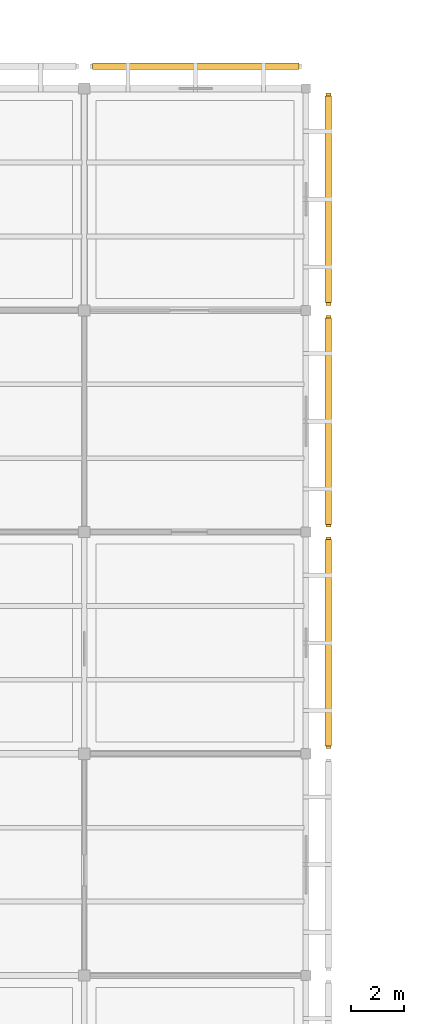
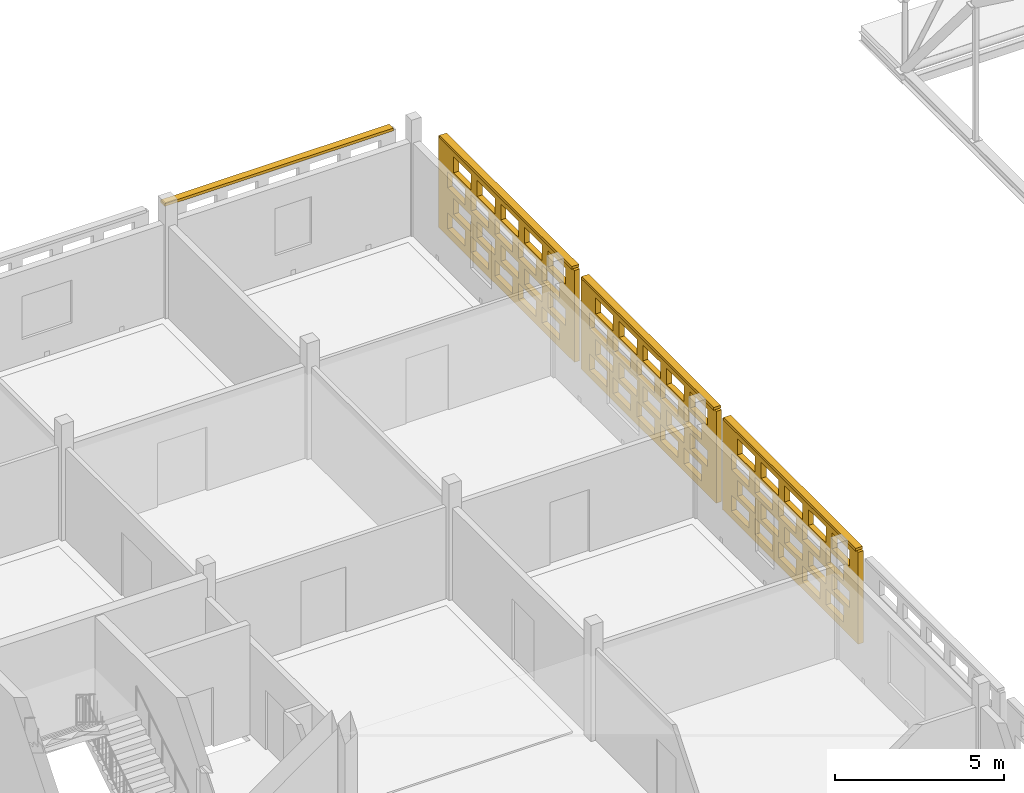
# One storey, part 95 of 103: 4 shading devices, 3 coverings, 60 openings.
"""IFC4 building model written with IfcOpenShell, lengths in metres."""

from ifc_helpers import new_model, si_unit, direction, frame, frame_2d, origin, origin_2d, place, context, subcontext, project, spatial, rectangle, extrude, material, layer, layer_set, type_object, element, save


model = new_model("IFC4")

# Units and contexts
model_context = context("Model", 3, precision=1e-05, world=origin(), true_north=direction((0.0, 1.0)))
body_context = subcontext(model_context, "Body", "Model", "MODEL_VIEW")
ifc_project = project(units=[si_unit("LENGTHUNIT", "METRE"), si_unit("AREAUNIT", "SQUARE_METRE"), si_unit("VOLUMEUNIT", "CUBIC_METRE"), si_unit("PLANEANGLEUNIT", "RADIAN"), si_unit("MASSUNIT", "GRAM", prefix="KILO")], contexts=[model_context])

# Site, building, storey
site_placement = place(None, origin())
site = spatial("IfcSite", under=ifc_project, at=site_placement, CompositionType="ELEMENT")
building_placement = place(site_placement, origin())
building = spatial("IfcBuilding", under=site, at=building_placement, Name="Varnapada Polytechnic", CompositionType="ELEMENT")
storey_placement = place(building_placement, frame((0.0, 0.0, 18.0)))
storey = spatial("IfcBuildingStorey", under=building, at=storey_placement, Name="L04", CompositionType="ELEMENT", Elevation=18.0)

# Covering, openings
ifc_material = material(Name="Earth-toned architectural terracotta screen block", Category="masonry")
ifc_layer_1 = layer(ifc_material, 0.1201171875)
ifc_layer_set_1 = layer_set([ifc_layer_1], Name="Earth-toned architectural terracotta screen block")
covering_type = type_object("IfcCoveringType", Name="Terracotta Screen Cladding CLD-01", PredefinedType="CLADDING", material=ifc_layer_set_1)
covering_1_placement = place(storey_placement, frame((34.449951171875, 109.010009765625, 0.0), z_axis=(0.0, 0.0, 1.0), x_axis=(0.0, -1.0, 0.0)))
covering_1 = element("IfcCovering", 1, at=covering_1_placement, inside=storey, type_object=covering_type, Name="L04 perforated terracotta block screen (30)", PredefinedType="CLADDING", context=body_context, shape_type="SweptSolid", body=[
    extrude(rectangle(XDim=8.02001953125, YDim=0.179931640625, at=frame_2d((4.010009765625, 0.0))), origin(), (0.0, 0.0, 1.0), 3.320068359375),
])
opening_1_placement = place(covering_1_placement, frame((0.510009765625, 0.0, 0.265625)))
element("IfcOpeningElement", 2, at=opening_1_placement, cuts=covering_1, Name="Screen perforation TBS-L04-029.1", PredefinedType="OPENING", context=body_context, shape_type="SweptSolid", body=[
    extrude(rectangle(XDim=1.0400390625, YDim=0.5810546875, at=frame_2d((0.52001953125, 0.29052734375))), frame((0.0, 0.099853515625, 0.0), z_axis=(0.0, -1.0, 0.0), x_axis=(1.0, 0.0, 0.0)), (0.0, 0.0, 1.0), 0.199951171875),
])
opening_2_placement = place(covering_1_placement, frame((1.909912109375, 0.0, 0.265625)))
element("IfcOpeningElement", 3, at=opening_2_placement, cuts=covering_1, Name="Screen perforation TBS-L04-029.2", PredefinedType="OPENING", context=body_context, shape_type="SweptSolid", body=[
    extrude(rectangle(XDim=1.0400390625, YDim=0.5810546875, at=frame_2d((0.52001953125, 0.29052734375))), frame((0.0, 0.099853515625, 0.0), z_axis=(0.0, -1.0, 0.0), x_axis=(1.0, 0.0, 0.0)), (0.0, 0.0, 1.0), 0.199951171875),
])
opening_3_placement = place(covering_1_placement, frame((3.31005859375, 0.0, 0.265625)))
element("IfcOpeningElement", 4, at=opening_3_placement, cuts=covering_1, Name="Screen perforation TBS-L04-029.3", PredefinedType="OPENING", context=body_context, shape_type="SweptSolid", body=[
    extrude(rectangle(XDim=1.0400390625, YDim=0.5810546875, at=frame_2d((0.52001953125, 0.29052734375))), frame((0.0, 0.099853515625, 0.0), z_axis=(0.0, -1.0, 0.0), x_axis=(1.0, 0.0, 0.0)), (0.0, 0.0, 1.0), 0.199951171875),
])
opening_4_placement = place(covering_1_placement, frame((4.7099609375, 0.0, 0.265625)))
element("IfcOpeningElement", 5, at=opening_4_placement, cuts=covering_1, Name="Screen perforation TBS-L04-029.4", PredefinedType="OPENING", context=body_context, shape_type="SweptSolid", body=[
    extrude(rectangle(XDim=1.0400390625, YDim=0.5810546875, at=frame_2d((0.52001953125, 0.29052734375))), frame((0.0, 0.099853515625, 0.0), z_axis=(0.0, -1.0, 0.0), x_axis=(1.0, 0.0, 0.0)), (0.0, 0.0, 1.0), 0.199951171875),
])
opening_5_placement = place(covering_1_placement, frame((6.110107421875, 0.0, 0.265625)))
element("IfcOpeningElement", 6, at=opening_5_placement, cuts=covering_1, Name="Screen perforation TBS-L04-029.5", PredefinedType="OPENING", context=body_context, shape_type="SweptSolid", body=[
    extrude(rectangle(XDim=1.0400390625, YDim=0.5810546875, at=frame_2d((0.52001953125, 0.29052734375))), frame((0.0, 0.099853515625, 0.0), z_axis=(0.0, -1.0, 0.0), x_axis=(1.0, 0.0, 0.0)), (0.0, 0.0, 1.0), 0.199951171875),
])
opening_6_placement = place(covering_1_placement, frame((0.8701171875, 0.0, 1.0126953125)))
element("IfcOpeningElement", 7, at=opening_6_placement, cuts=covering_1, Name="Screen perforation TBS-L04-029.6", PredefinedType="OPENING", context=body_context, shape_type="SweptSolid", body=[
    extrude(rectangle(XDim=1.0400390625, YDim=0.5810546875, at=frame_2d((0.52001953125, 0.29052734375))), frame((0.0, 0.099853515625, 0.0), z_axis=(0.0, -1.0, 0.0), x_axis=(1.0, 0.0, 0.0)), (0.0, 0.0, 1.0), 0.199951171875),
])
opening_7_placement = place(covering_1_placement, frame((2.27001953125, 0.0, 1.0126953125)))
element("IfcOpeningElement", 8, at=opening_7_placement, cuts=covering_1, Name="Screen perforation TBS-L04-029.7", PredefinedType="OPENING", context=body_context, shape_type="SweptSolid", body=[
    extrude(rectangle(XDim=1.0400390625, YDim=0.5810546875, at=frame_2d((0.52001953125, 0.29052734375))), frame((0.0, 0.099853515625, 0.0), z_axis=(0.0, -1.0, 0.0), x_axis=(1.0, 0.0, 0.0)), (0.0, 0.0, 1.0), 0.199951171875),
])
opening_8_placement = place(covering_1_placement, frame((3.669921875, 0.0, 1.0126953125)))
element("IfcOpeningElement", 9, at=opening_8_placement, cuts=covering_1, Name="Screen perforation TBS-L04-029.8", PredefinedType="OPENING", context=body_context, shape_type="SweptSolid", body=[
    extrude(rectangle(XDim=1.0400390625, YDim=0.5810546875, at=frame_2d((0.52001953125, 0.29052734375))), frame((0.0, 0.099853515625, 0.0), z_axis=(0.0, -1.0, 0.0), x_axis=(1.0, 0.0, 0.0)), (0.0, 0.0, 1.0), 0.199951171875),
])
opening_9_placement = place(covering_1_placement, frame((5.070068359375, 0.0, 1.0126953125)))
element("IfcOpeningElement", 10, at=opening_9_placement, cuts=covering_1, Name="Screen perforation TBS-L04-029.9", PredefinedType="OPENING", context=body_context, shape_type="SweptSolid", body=[
    extrude(rectangle(XDim=1.0400390625, YDim=0.5810546875, at=frame_2d((0.52001953125, 0.29052734375))), frame((0.0, 0.099853515625, 0.0), z_axis=(0.0, -1.0, 0.0), x_axis=(1.0, 0.0, 0.0)), (0.0, 0.0, 1.0), 0.199951171875),
])
opening_10_placement = place(covering_1_placement, frame((6.469970703125, 0.0, 1.0126953125)))
element("IfcOpeningElement", 11, at=opening_10_placement, cuts=covering_1, Name="Screen perforation TBS-L04-029.10", PredefinedType="OPENING", context=body_context, shape_type="SweptSolid", body=[
    extrude(rectangle(XDim=1.0400390625, YDim=0.5810546875, at=frame_2d((0.52001953125, 0.29052734375))), frame((0.0, 0.099853515625, 0.0), z_axis=(0.0, -1.0, 0.0), x_axis=(1.0, 0.0, 0.0)), (0.0, 0.0, 1.0), 0.199951171875),
])
opening_11_placement = place(covering_1_placement, frame((0.510009765625, 0.0, 1.759521484375)))
element("IfcOpeningElement", 12, at=opening_11_placement, cuts=covering_1, Name="Screen perforation TBS-L04-029.11", PredefinedType="OPENING", context=body_context, shape_type="SweptSolid", body=[
    extrude(rectangle(XDim=1.0400390625, YDim=0.5810546875, at=frame_2d((0.52001953125, 0.29052734375))), frame((0.0, 0.099853515625, 0.0), z_axis=(0.0, -1.0, 0.0), x_axis=(1.0, 0.0, 0.0)), (0.0, 0.0, 1.0), 0.199951171875),
])
opening_12_placement = place(covering_1_placement, frame((1.909912109375, 0.0, 1.759521484375)))
element("IfcOpeningElement", 13, at=opening_12_placement, cuts=covering_1, Name="Screen perforation TBS-L04-029.12", PredefinedType="OPENING", context=body_context, shape_type="SweptSolid", body=[
    extrude(rectangle(XDim=1.0400390625, YDim=0.5810546875, at=frame_2d((0.52001953125, 0.29052734375))), frame((0.0, 0.099853515625, 0.0), z_axis=(0.0, -1.0, 0.0), x_axis=(1.0, 0.0, 0.0)), (0.0, 0.0, 1.0), 0.199951171875),
])
opening_13_placement = place(covering_1_placement, frame((3.31005859375, 0.0, 1.759521484375)))
element("IfcOpeningElement", 14, at=opening_13_placement, cuts=covering_1, Name="Screen perforation TBS-L04-029.13", PredefinedType="OPENING", context=body_context, shape_type="SweptSolid", body=[
    extrude(rectangle(XDim=1.0400390625, YDim=0.5810546875, at=frame_2d((0.52001953125, 0.29052734375))), frame((0.0, 0.099853515625, 0.0), z_axis=(0.0, -1.0, 0.0), x_axis=(1.0, 0.0, 0.0)), (0.0, 0.0, 1.0), 0.199951171875),
])
opening_14_placement = place(covering_1_placement, frame((4.7099609375, 0.0, 1.759521484375)))
element("IfcOpeningElement", 15, at=opening_14_placement, cuts=covering_1, Name="Screen perforation TBS-L04-029.14", PredefinedType="OPENING", context=body_context, shape_type="SweptSolid", body=[
    extrude(rectangle(XDim=1.0400390625, YDim=0.5810546875, at=frame_2d((0.52001953125, 0.29052734375))), frame((0.0, 0.099853515625, 0.0), z_axis=(0.0, -1.0, 0.0), x_axis=(1.0, 0.0, 0.0)), (0.0, 0.0, 1.0), 0.199951171875),
])
opening_15_placement = place(covering_1_placement, frame((6.110107421875, 0.0, 1.759521484375)))
element("IfcOpeningElement", 16, at=opening_15_placement, cuts=covering_1, Name="Screen perforation TBS-L04-029.15", PredefinedType="OPENING", context=body_context, shape_type="SweptSolid", body=[
    extrude(rectangle(XDim=1.0400390625, YDim=0.5810546875, at=frame_2d((0.52001953125, 0.29052734375))), frame((0.0, 0.099853515625, 0.0), z_axis=(0.0, -1.0, 0.0), x_axis=(1.0, 0.0, 0.0)), (0.0, 0.0, 1.0), 0.199951171875),
])
opening_16_placement = place(covering_1_placement, frame((0.8701171875, 0.0, 2.506591796875)))
element("IfcOpeningElement", 17, at=opening_16_placement, cuts=covering_1, Name="Screen perforation TBS-L04-029.16", PredefinedType="OPENING", context=body_context, shape_type="SweptSolid", body=[
    extrude(rectangle(XDim=1.0400390625, YDim=0.5810546875, at=frame_2d((0.52001953125, 0.29052734375))), frame((0.0, 0.099853515625, 0.0), z_axis=(0.0, -1.0, 0.0), x_axis=(1.0, 0.0, 0.0)), (0.0, 0.0, 1.0), 0.199951171875),
])
opening_17_placement = place(covering_1_placement, frame((2.27001953125, 0.0, 2.506591796875)))
element("IfcOpeningElement", 18, at=opening_17_placement, cuts=covering_1, Name="Screen perforation TBS-L04-029.17", PredefinedType="OPENING", context=body_context, shape_type="SweptSolid", body=[
    extrude(rectangle(XDim=1.0400390625, YDim=0.5810546875, at=frame_2d((0.52001953125, 0.29052734375))), frame((0.0, 0.099853515625, 0.0), z_axis=(0.0, -1.0, 0.0), x_axis=(1.0, 0.0, 0.0)), (0.0, 0.0, 1.0), 0.199951171875),
])
opening_18_placement = place(covering_1_placement, frame((3.669921875, 0.0, 2.506591796875)))
element("IfcOpeningElement", 19, at=opening_18_placement, cuts=covering_1, Name="Screen perforation TBS-L04-029.18", PredefinedType="OPENING", context=body_context, shape_type="SweptSolid", body=[
    extrude(rectangle(XDim=1.0400390625, YDim=0.5810546875, at=frame_2d((0.52001953125, 0.29052734375))), frame((0.0, 0.099853515625, 0.0), z_axis=(0.0, -1.0, 0.0), x_axis=(1.0, 0.0, 0.0)), (0.0, 0.0, 1.0), 0.199951171875),
])
opening_19_placement = place(covering_1_placement, frame((5.070068359375, 0.0, 2.506591796875)))
element("IfcOpeningElement", 20, at=opening_19_placement, cuts=covering_1, Name="Screen perforation TBS-L04-029.19", PredefinedType="OPENING", context=body_context, shape_type="SweptSolid", body=[
    extrude(rectangle(XDim=1.0400390625, YDim=0.5810546875, at=frame_2d((0.52001953125, 0.29052734375))), frame((0.0, 0.099853515625, 0.0), z_axis=(0.0, -1.0, 0.0), x_axis=(1.0, 0.0, 0.0)), (0.0, 0.0, 1.0), 0.199951171875),
])
opening_20_placement = place(covering_1_placement, frame((6.469970703125, 0.0, 2.506591796875)))
element("IfcOpeningElement", 21, at=opening_20_placement, cuts=covering_1, Name="Screen perforation TBS-L04-029.20", PredefinedType="OPENING", context=body_context, shape_type="SweptSolid", body=[
    extrude(rectangle(XDim=1.0400390625, YDim=0.5810546875, at=frame_2d((0.52001953125, 0.29052734375))), frame((0.0, 0.099853515625, 0.0), z_axis=(0.0, -1.0, 0.0), x_axis=(1.0, 0.0, 0.0)), (0.0, 0.0, 1.0), 0.199951171875),
])

covering_2_placement = place(storey_placement, frame((34.449951171875, 117.409912109375, 0.0), z_axis=(0.0, 0.0, 1.0), x_axis=(0.0, -1.0, 0.0)))
covering_2 = element("IfcCovering", 22, at=covering_2_placement, inside=storey, type_object=covering_type, Name="L04 perforated terracotta block screen (31)", PredefinedType="CLADDING", context=body_context, shape_type="SweptSolid", body=[
    extrude(rectangle(XDim=8.02001953125, YDim=0.179931640625, at=frame_2d((4.010009765625, 0.0))), origin(), (0.0, 0.0, 1.0), 3.320068359375),
])
opening_21_placement = place(covering_2_placement, frame((0.510009765625, 0.0, 0.265625)))
element("IfcOpeningElement", 23, at=opening_21_placement, cuts=covering_2, Name="Screen perforation TBS-L04-030.1", PredefinedType="OPENING", context=body_context, shape_type="SweptSolid", body=[
    extrude(rectangle(XDim=1.0400390625, YDim=0.5810546875, at=frame_2d((0.52001953125, 0.29052734375))), frame((0.0, 0.099853515625, 0.0), z_axis=(0.0, -1.0, 0.0), x_axis=(1.0, 0.0, 0.0)), (0.0, 0.0, 1.0), 0.199951171875),
])
opening_22_placement = place(covering_2_placement, frame((1.909912109375, 0.0, 0.265625)))
element("IfcOpeningElement", 24, at=opening_22_placement, cuts=covering_2, Name="Screen perforation TBS-L04-030.2", PredefinedType="OPENING", context=body_context, shape_type="SweptSolid", body=[
    extrude(rectangle(XDim=1.0400390625, YDim=0.5810546875, at=frame_2d((0.52001953125, 0.29052734375))), frame((0.0, 0.099853515625, 0.0), z_axis=(0.0, -1.0, 0.0), x_axis=(1.0, 0.0, 0.0)), (0.0, 0.0, 1.0), 0.199951171875),
])
opening_23_placement = place(covering_2_placement, frame((3.31005859375, 0.0, 0.265625)))
element("IfcOpeningElement", 25, at=opening_23_placement, cuts=covering_2, Name="Screen perforation TBS-L04-030.3", PredefinedType="OPENING", context=body_context, shape_type="SweptSolid", body=[
    extrude(rectangle(XDim=1.0400390625, YDim=0.5810546875, at=frame_2d((0.52001953125, 0.29052734375))), frame((0.0, 0.099853515625, 0.0), z_axis=(0.0, -1.0, 0.0), x_axis=(1.0, 0.0, 0.0)), (0.0, 0.0, 1.0), 0.199951171875),
])
opening_24_placement = place(covering_2_placement, frame((4.7099609375, 0.0, 0.265625)))
element("IfcOpeningElement", 26, at=opening_24_placement, cuts=covering_2, Name="Screen perforation TBS-L04-030.4", PredefinedType="OPENING", context=body_context, shape_type="SweptSolid", body=[
    extrude(rectangle(XDim=1.0400390625, YDim=0.5810546875, at=frame_2d((0.52001953125, 0.29052734375))), frame((0.0, 0.099853515625, 0.0), z_axis=(0.0, -1.0, 0.0), x_axis=(1.0, 0.0, 0.0)), (0.0, 0.0, 1.0), 0.199951171875),
])
opening_25_placement = place(covering_2_placement, frame((6.110107421875, 0.0, 0.265625)))
element("IfcOpeningElement", 27, at=opening_25_placement, cuts=covering_2, Name="Screen perforation TBS-L04-030.5", PredefinedType="OPENING", context=body_context, shape_type="SweptSolid", body=[
    extrude(rectangle(XDim=1.0400390625, YDim=0.5810546875, at=frame_2d((0.52001953125, 0.29052734375))), frame((0.0, 0.099853515625, 0.0), z_axis=(0.0, -1.0, 0.0), x_axis=(1.0, 0.0, 0.0)), (0.0, 0.0, 1.0), 0.199951171875),
])
opening_26_placement = place(covering_2_placement, frame((0.8701171875, 0.0, 1.0126953125)))
element("IfcOpeningElement", 28, at=opening_26_placement, cuts=covering_2, Name="Screen perforation TBS-L04-030.6", PredefinedType="OPENING", context=body_context, shape_type="SweptSolid", body=[
    extrude(rectangle(XDim=1.0400390625, YDim=0.5810546875, at=frame_2d((0.52001953125, 0.29052734375))), frame((0.0, 0.099853515625, 0.0), z_axis=(0.0, -1.0, 0.0), x_axis=(1.0, 0.0, 0.0)), (0.0, 0.0, 1.0), 0.199951171875),
])
opening_27_placement = place(covering_2_placement, frame((2.27001953125, 0.0, 1.0126953125)))
element("IfcOpeningElement", 29, at=opening_27_placement, cuts=covering_2, Name="Screen perforation TBS-L04-030.7", PredefinedType="OPENING", context=body_context, shape_type="SweptSolid", body=[
    extrude(rectangle(XDim=1.0400390625, YDim=0.5810546875, at=frame_2d((0.52001953125, 0.29052734375))), frame((0.0, 0.099853515625, 0.0), z_axis=(0.0, -1.0, 0.0), x_axis=(1.0, 0.0, 0.0)), (0.0, 0.0, 1.0), 0.199951171875),
])
opening_28_placement = place(covering_2_placement, frame((3.669921875, 0.0, 1.0126953125)))
element("IfcOpeningElement", 30, at=opening_28_placement, cuts=covering_2, Name="Screen perforation TBS-L04-030.8", PredefinedType="OPENING", context=body_context, shape_type="SweptSolid", body=[
    extrude(rectangle(XDim=1.0400390625, YDim=0.5810546875, at=frame_2d((0.52001953125, 0.29052734375))), frame((0.0, 0.099853515625, 0.0), z_axis=(0.0, -1.0, 0.0), x_axis=(1.0, 0.0, 0.0)), (0.0, 0.0, 1.0), 0.199951171875),
])
opening_29_placement = place(covering_2_placement, frame((5.070068359375, 0.0, 1.0126953125)))
element("IfcOpeningElement", 31, at=opening_29_placement, cuts=covering_2, Name="Screen perforation TBS-L04-030.9", PredefinedType="OPENING", context=body_context, shape_type="SweptSolid", body=[
    extrude(rectangle(XDim=1.0400390625, YDim=0.5810546875, at=frame_2d((0.52001953125, 0.29052734375))), frame((0.0, 0.099853515625, 0.0), z_axis=(0.0, -1.0, 0.0), x_axis=(1.0, 0.0, 0.0)), (0.0, 0.0, 1.0), 0.199951171875),
])
opening_30_placement = place(covering_2_placement, frame((6.469970703125, 0.0, 1.0126953125)))
element("IfcOpeningElement", 32, at=opening_30_placement, cuts=covering_2, Name="Screen perforation TBS-L04-030.10", PredefinedType="OPENING", context=body_context, shape_type="SweptSolid", body=[
    extrude(rectangle(XDim=1.0400390625, YDim=0.5810546875, at=frame_2d((0.52001953125, 0.29052734375))), frame((0.0, 0.099853515625, 0.0), z_axis=(0.0, -1.0, 0.0), x_axis=(1.0, 0.0, 0.0)), (0.0, 0.0, 1.0), 0.199951171875),
])
opening_31_placement = place(covering_2_placement, frame((0.510009765625, 0.0, 1.759521484375)))
element("IfcOpeningElement", 33, at=opening_31_placement, cuts=covering_2, Name="Screen perforation TBS-L04-030.11", PredefinedType="OPENING", context=body_context, shape_type="SweptSolid", body=[
    extrude(rectangle(XDim=1.0400390625, YDim=0.5810546875, at=frame_2d((0.52001953125, 0.29052734375))), frame((0.0, 0.099853515625, 0.0), z_axis=(0.0, -1.0, 0.0), x_axis=(1.0, 0.0, 0.0)), (0.0, 0.0, 1.0), 0.199951171875),
])
opening_32_placement = place(covering_2_placement, frame((1.909912109375, 0.0, 1.759521484375)))
element("IfcOpeningElement", 34, at=opening_32_placement, cuts=covering_2, Name="Screen perforation TBS-L04-030.12", PredefinedType="OPENING", context=body_context, shape_type="SweptSolid", body=[
    extrude(rectangle(XDim=1.0400390625, YDim=0.5810546875, at=frame_2d((0.52001953125, 0.29052734375))), frame((0.0, 0.099853515625, 0.0), z_axis=(0.0, -1.0, 0.0), x_axis=(1.0, 0.0, 0.0)), (0.0, 0.0, 1.0), 0.199951171875),
])
opening_33_placement = place(covering_2_placement, frame((3.31005859375, 0.0, 1.759521484375)))
element("IfcOpeningElement", 35, at=opening_33_placement, cuts=covering_2, Name="Screen perforation TBS-L04-030.13", PredefinedType="OPENING", context=body_context, shape_type="SweptSolid", body=[
    extrude(rectangle(XDim=1.0400390625, YDim=0.5810546875, at=frame_2d((0.52001953125, 0.29052734375))), frame((0.0, 0.099853515625, 0.0), z_axis=(0.0, -1.0, 0.0), x_axis=(1.0, 0.0, 0.0)), (0.0, 0.0, 1.0), 0.199951171875),
])
opening_34_placement = place(covering_2_placement, frame((4.7099609375, 0.0, 1.759521484375)))
element("IfcOpeningElement", 36, at=opening_34_placement, cuts=covering_2, Name="Screen perforation TBS-L04-030.14", PredefinedType="OPENING", context=body_context, shape_type="SweptSolid", body=[
    extrude(rectangle(XDim=1.0400390625, YDim=0.5810546875, at=frame_2d((0.52001953125, 0.29052734375))), frame((0.0, 0.099853515625, 0.0), z_axis=(0.0, -1.0, 0.0), x_axis=(1.0, 0.0, 0.0)), (0.0, 0.0, 1.0), 0.199951171875),
])
opening_35_placement = place(covering_2_placement, frame((6.110107421875, 0.0, 1.759521484375)))
element("IfcOpeningElement", 37, at=opening_35_placement, cuts=covering_2, Name="Screen perforation TBS-L04-030.15", PredefinedType="OPENING", context=body_context, shape_type="SweptSolid", body=[
    extrude(rectangle(XDim=1.0400390625, YDim=0.5810546875, at=frame_2d((0.52001953125, 0.29052734375))), frame((0.0, 0.099853515625, 0.0), z_axis=(0.0, -1.0, 0.0), x_axis=(1.0, 0.0, 0.0)), (0.0, 0.0, 1.0), 0.199951171875),
])
opening_36_placement = place(covering_2_placement, frame((0.8701171875, 0.0, 2.506591796875)))
element("IfcOpeningElement", 38, at=opening_36_placement, cuts=covering_2, Name="Screen perforation TBS-L04-030.16", PredefinedType="OPENING", context=body_context, shape_type="SweptSolid", body=[
    extrude(rectangle(XDim=1.0400390625, YDim=0.5810546875, at=frame_2d((0.52001953125, 0.29052734375))), frame((0.0, 0.099853515625, 0.0), z_axis=(0.0, -1.0, 0.0), x_axis=(1.0, 0.0, 0.0)), (0.0, 0.0, 1.0), 0.199951171875),
])
opening_37_placement = place(covering_2_placement, frame((2.27001953125, 0.0, 2.506591796875)))
element("IfcOpeningElement", 39, at=opening_37_placement, cuts=covering_2, Name="Screen perforation TBS-L04-030.17", PredefinedType="OPENING", context=body_context, shape_type="SweptSolid", body=[
    extrude(rectangle(XDim=1.0400390625, YDim=0.5810546875, at=frame_2d((0.52001953125, 0.29052734375))), frame((0.0, 0.099853515625, 0.0), z_axis=(0.0, -1.0, 0.0), x_axis=(1.0, 0.0, 0.0)), (0.0, 0.0, 1.0), 0.199951171875),
])
opening_38_placement = place(covering_2_placement, frame((3.669921875, 0.0, 2.506591796875)))
element("IfcOpeningElement", 40, at=opening_38_placement, cuts=covering_2, Name="Screen perforation TBS-L04-030.18", PredefinedType="OPENING", context=body_context, shape_type="SweptSolid", body=[
    extrude(rectangle(XDim=1.0400390625, YDim=0.5810546875, at=frame_2d((0.52001953125, 0.29052734375))), frame((0.0, 0.099853515625, 0.0), z_axis=(0.0, -1.0, 0.0), x_axis=(1.0, 0.0, 0.0)), (0.0, 0.0, 1.0), 0.199951171875),
])
opening_39_placement = place(covering_2_placement, frame((5.070068359375, 0.0, 2.506591796875)))
element("IfcOpeningElement", 41, at=opening_39_placement, cuts=covering_2, Name="Screen perforation TBS-L04-030.19", PredefinedType="OPENING", context=body_context, shape_type="SweptSolid", body=[
    extrude(rectangle(XDim=1.0400390625, YDim=0.5810546875, at=frame_2d((0.52001953125, 0.29052734375))), frame((0.0, 0.099853515625, 0.0), z_axis=(0.0, -1.0, 0.0), x_axis=(1.0, 0.0, 0.0)), (0.0, 0.0, 1.0), 0.199951171875),
])
opening_40_placement = place(covering_2_placement, frame((6.469970703125, 0.0, 2.506591796875)))
element("IfcOpeningElement", 42, at=opening_40_placement, cuts=covering_2, Name="Screen perforation TBS-L04-030.20", PredefinedType="OPENING", context=body_context, shape_type="SweptSolid", body=[
    extrude(rectangle(XDim=1.0400390625, YDim=0.5810546875, at=frame_2d((0.52001953125, 0.29052734375))), frame((0.0, 0.099853515625, 0.0), z_axis=(0.0, -1.0, 0.0), x_axis=(1.0, 0.0, 0.0)), (0.0, 0.0, 1.0), 0.199951171875),
])

covering_3_placement = place(storey_placement, frame((34.449951171875, 125.830078125, 0.0), z_axis=(0.0, 0.0, 1.0), x_axis=(0.0, -1.0, 0.0)))
covering_3 = element("IfcCovering", 43, at=covering_3_placement, inside=storey, type_object=covering_type, Name="L04 perforated terracotta block screen (33)", PredefinedType="CLADDING", context=body_context, shape_type="SweptSolid", body=[
    extrude(rectangle(XDim=8.0400390625, YDim=0.179931640625, at=frame_2d((4.02001953125, 0.0))), origin(), (0.0, 0.0, 1.0), 3.320068359375),
])
opening_41_placement = place(covering_3_placement, frame((0.52001953125, 0.0, 0.265625)))
element("IfcOpeningElement", 44, at=opening_41_placement, cuts=covering_3, Name="Screen perforation TBS-L04-032.1", PredefinedType="OPENING", context=body_context, shape_type="SweptSolid", body=[
    extrude(rectangle(XDim=1.0400390625, YDim=0.5810546875, at=frame_2d((0.52001953125, 0.29052734375))), frame((0.0, 0.099853515625, 0.0), z_axis=(0.0, -1.0, 0.0), x_axis=(1.0, 0.0, 0.0)), (0.0, 0.0, 1.0), 0.199951171875),
])
opening_42_placement = place(covering_3_placement, frame((1.919921875, 0.0, 0.265625)))
element("IfcOpeningElement", 45, at=opening_42_placement, cuts=covering_3, Name="Screen perforation TBS-L04-032.2", PredefinedType="OPENING", context=body_context, shape_type="SweptSolid", body=[
    extrude(rectangle(XDim=1.0400390625, YDim=0.5810546875, at=frame_2d((0.52001953125, 0.29052734375))), frame((0.0, 0.099853515625, 0.0), z_axis=(0.0, -1.0, 0.0), x_axis=(1.0, 0.0, 0.0)), (0.0, 0.0, 1.0), 0.199951171875),
])
opening_43_placement = place(covering_3_placement, frame((3.320068359375, 0.0, 0.265625)))
element("IfcOpeningElement", 46, at=opening_43_placement, cuts=covering_3, Name="Screen perforation TBS-L04-032.3", PredefinedType="OPENING", context=body_context, shape_type="SweptSolid", body=[
    extrude(rectangle(XDim=1.0400390625, YDim=0.5810546875, at=frame_2d((0.52001953125, 0.29052734375))), frame((0.0, 0.099853515625, 0.0), z_axis=(0.0, -1.0, 0.0), x_axis=(1.0, 0.0, 0.0)), (0.0, 0.0, 1.0), 0.199951171875),
])
opening_44_placement = place(covering_3_placement, frame((4.719970703125, 0.0, 0.265625)))
element("IfcOpeningElement", 47, at=opening_44_placement, cuts=covering_3, Name="Screen perforation TBS-L04-032.4", PredefinedType="OPENING", context=body_context, shape_type="SweptSolid", body=[
    extrude(rectangle(XDim=1.0400390625, YDim=0.5810546875, at=frame_2d((0.52001953125, 0.29052734375))), frame((0.0, 0.099853515625, 0.0), z_axis=(0.0, -1.0, 0.0), x_axis=(1.0, 0.0, 0.0)), (0.0, 0.0, 1.0), 0.199951171875),
])
opening_45_placement = place(covering_3_placement, frame((6.1201171875, 0.0, 0.265625)))
element("IfcOpeningElement", 48, at=opening_45_placement, cuts=covering_3, Name="Screen perforation TBS-L04-032.5", PredefinedType="OPENING", context=body_context, shape_type="SweptSolid", body=[
    extrude(rectangle(XDim=1.0400390625, YDim=0.5810546875, at=frame_2d((0.52001953125, 0.29052734375))), frame((0.0, 0.099853515625, 0.0), z_axis=(0.0, -1.0, 0.0), x_axis=(1.0, 0.0, 0.0)), (0.0, 0.0, 1.0), 0.199951171875),
])
opening_46_placement = place(covering_3_placement, frame((0.8798828125, 0.0, 1.0126953125)))
element("IfcOpeningElement", 49, at=opening_46_placement, cuts=covering_3, Name="Screen perforation TBS-L04-032.6", PredefinedType="OPENING", context=body_context, shape_type="SweptSolid", body=[
    extrude(rectangle(XDim=1.0400390625, YDim=0.5810546875, at=frame_2d((0.52001953125, 0.29052734375))), frame((0.0, 0.099853515625, 0.0), z_axis=(0.0, -1.0, 0.0), x_axis=(1.0, 0.0, 0.0)), (0.0, 0.0, 1.0), 0.199951171875),
])
opening_47_placement = place(covering_3_placement, frame((2.280029296875, 0.0, 1.0126953125)))
element("IfcOpeningElement", 50, at=opening_47_placement, cuts=covering_3, Name="Screen perforation TBS-L04-032.7", PredefinedType="OPENING", context=body_context, shape_type="SweptSolid", body=[
    extrude(rectangle(XDim=1.0400390625, YDim=0.5810546875, at=frame_2d((0.52001953125, 0.29052734375))), frame((0.0, 0.099853515625, 0.0), z_axis=(0.0, -1.0, 0.0), x_axis=(1.0, 0.0, 0.0)), (0.0, 0.0, 1.0), 0.199951171875),
])
opening_48_placement = place(covering_3_placement, frame((3.679931640625, 0.0, 1.0126953125)))
element("IfcOpeningElement", 51, at=opening_48_placement, cuts=covering_3, Name="Screen perforation TBS-L04-032.8", PredefinedType="OPENING", context=body_context, shape_type="SweptSolid", body=[
    extrude(rectangle(XDim=1.0400390625, YDim=0.5810546875, at=frame_2d((0.52001953125, 0.29052734375))), frame((0.0, 0.099853515625, 0.0), z_axis=(0.0, -1.0, 0.0), x_axis=(1.0, 0.0, 0.0)), (0.0, 0.0, 1.0), 0.199951171875),
])
opening_49_placement = place(covering_3_placement, frame((5.080078125, 0.0, 1.0126953125)))
element("IfcOpeningElement", 52, at=opening_49_placement, cuts=covering_3, Name="Screen perforation TBS-L04-032.9", PredefinedType="OPENING", context=body_context, shape_type="SweptSolid", body=[
    extrude(rectangle(XDim=1.0400390625, YDim=0.5810546875, at=frame_2d((0.52001953125, 0.29052734375))), frame((0.0, 0.099853515625, 0.0), z_axis=(0.0, -1.0, 0.0), x_axis=(1.0, 0.0, 0.0)), (0.0, 0.0, 1.0), 0.199951171875),
])
opening_50_placement = place(covering_3_placement, frame((6.47998046875, 0.0, 1.0126953125)))
element("IfcOpeningElement", 53, at=opening_50_placement, cuts=covering_3, Name="Screen perforation TBS-L04-032.10", PredefinedType="OPENING", context=body_context, shape_type="SweptSolid", body=[
    extrude(rectangle(XDim=1.0400390625, YDim=0.5810546875, at=frame_2d((0.52001953125, 0.29052734375))), frame((0.0, 0.099853515625, 0.0), z_axis=(0.0, -1.0, 0.0), x_axis=(1.0, 0.0, 0.0)), (0.0, 0.0, 1.0), 0.199951171875),
])
opening_51_placement = place(covering_3_placement, frame((0.52001953125, 0.0, 1.759521484375)))
element("IfcOpeningElement", 54, at=opening_51_placement, cuts=covering_3, Name="Screen perforation TBS-L04-032.11", PredefinedType="OPENING", context=body_context, shape_type="SweptSolid", body=[
    extrude(rectangle(XDim=1.0400390625, YDim=0.5810546875, at=frame_2d((0.52001953125, 0.29052734375))), frame((0.0, 0.099853515625, 0.0), z_axis=(0.0, -1.0, 0.0), x_axis=(1.0, 0.0, 0.0)), (0.0, 0.0, 1.0), 0.199951171875),
])
opening_52_placement = place(covering_3_placement, frame((1.919921875, 0.0, 1.759521484375)))
element("IfcOpeningElement", 55, at=opening_52_placement, cuts=covering_3, Name="Screen perforation TBS-L04-032.12", PredefinedType="OPENING", context=body_context, shape_type="SweptSolid", body=[
    extrude(rectangle(XDim=1.0400390625, YDim=0.5810546875, at=frame_2d((0.52001953125, 0.29052734375))), frame((0.0, 0.099853515625, 0.0), z_axis=(0.0, -1.0, 0.0), x_axis=(1.0, 0.0, 0.0)), (0.0, 0.0, 1.0), 0.199951171875),
])
opening_53_placement = place(covering_3_placement, frame((3.320068359375, 0.0, 1.759521484375)))
element("IfcOpeningElement", 56, at=opening_53_placement, cuts=covering_3, Name="Screen perforation TBS-L04-032.13", PredefinedType="OPENING", context=body_context, shape_type="SweptSolid", body=[
    extrude(rectangle(XDim=1.0400390625, YDim=0.5810546875, at=frame_2d((0.52001953125, 0.29052734375))), frame((0.0, 0.099853515625, 0.0), z_axis=(0.0, -1.0, 0.0), x_axis=(1.0, 0.0, 0.0)), (0.0, 0.0, 1.0), 0.199951171875),
])
opening_54_placement = place(covering_3_placement, frame((4.719970703125, 0.0, 1.759521484375)))
element("IfcOpeningElement", 57, at=opening_54_placement, cuts=covering_3, Name="Screen perforation TBS-L04-032.14", PredefinedType="OPENING", context=body_context, shape_type="SweptSolid", body=[
    extrude(rectangle(XDim=1.0400390625, YDim=0.5810546875, at=frame_2d((0.52001953125, 0.29052734375))), frame((0.0, 0.099853515625, 0.0), z_axis=(0.0, -1.0, 0.0), x_axis=(1.0, 0.0, 0.0)), (0.0, 0.0, 1.0), 0.199951171875),
])
opening_55_placement = place(covering_3_placement, frame((6.1201171875, 0.0, 1.759521484375)))
element("IfcOpeningElement", 58, at=opening_55_placement, cuts=covering_3, Name="Screen perforation TBS-L04-032.15", PredefinedType="OPENING", context=body_context, shape_type="SweptSolid", body=[
    extrude(rectangle(XDim=1.0400390625, YDim=0.5810546875, at=frame_2d((0.52001953125, 0.29052734375))), frame((0.0, 0.099853515625, 0.0), z_axis=(0.0, -1.0, 0.0), x_axis=(1.0, 0.0, 0.0)), (0.0, 0.0, 1.0), 0.199951171875),
])
opening_56_placement = place(covering_3_placement, frame((0.8798828125, 0.0, 2.506591796875)))
element("IfcOpeningElement", 59, at=opening_56_placement, cuts=covering_3, Name="Screen perforation TBS-L04-032.16", PredefinedType="OPENING", context=body_context, shape_type="SweptSolid", body=[
    extrude(rectangle(XDim=1.0400390625, YDim=0.5810546875, at=frame_2d((0.52001953125, 0.29052734375))), frame((0.0, 0.099853515625, 0.0), z_axis=(0.0, -1.0, 0.0), x_axis=(1.0, 0.0, 0.0)), (0.0, 0.0, 1.0), 0.199951171875),
])
opening_57_placement = place(covering_3_placement, frame((2.280029296875, 0.0, 2.506591796875)))
element("IfcOpeningElement", 60, at=opening_57_placement, cuts=covering_3, Name="Screen perforation TBS-L04-032.17", PredefinedType="OPENING", context=body_context, shape_type="SweptSolid", body=[
    extrude(rectangle(XDim=1.0400390625, YDim=0.5810546875, at=frame_2d((0.52001953125, 0.29052734375))), frame((0.0, 0.099853515625, 0.0), z_axis=(0.0, -1.0, 0.0), x_axis=(1.0, 0.0, 0.0)), (0.0, 0.0, 1.0), 0.199951171875),
])
opening_58_placement = place(covering_3_placement, frame((3.679931640625, 0.0, 2.506591796875)))
element("IfcOpeningElement", 61, at=opening_58_placement, cuts=covering_3, Name="Screen perforation TBS-L04-032.18", PredefinedType="OPENING", context=body_context, shape_type="SweptSolid", body=[
    extrude(rectangle(XDim=1.0400390625, YDim=0.5810546875, at=frame_2d((0.52001953125, 0.29052734375))), frame((0.0, 0.099853515625, 0.0), z_axis=(0.0, -1.0, 0.0), x_axis=(1.0, 0.0, 0.0)), (0.0, 0.0, 1.0), 0.199951171875),
])
opening_59_placement = place(covering_3_placement, frame((5.080078125, 0.0, 2.506591796875)))
element("IfcOpeningElement", 62, at=opening_59_placement, cuts=covering_3, Name="Screen perforation TBS-L04-032.19", PredefinedType="OPENING", context=body_context, shape_type="SweptSolid", body=[
    extrude(rectangle(XDim=1.0400390625, YDim=0.5810546875, at=frame_2d((0.52001953125, 0.29052734375))), frame((0.0, 0.099853515625, 0.0), z_axis=(0.0, -1.0, 0.0), x_axis=(1.0, 0.0, 0.0)), (0.0, 0.0, 1.0), 0.199951171875),
])
opening_60_placement = place(covering_3_placement, frame((6.47998046875, 0.0, 2.506591796875)))
element("IfcOpeningElement", 63, at=opening_60_placement, cuts=covering_3, Name="Screen perforation TBS-L04-032.20", PredefinedType="OPENING", context=body_context, shape_type="SweptSolid", body=[
    extrude(rectangle(XDim=1.0400390625, YDim=0.5810546875, at=frame_2d((0.52001953125, 0.29052734375))), frame((0.0, 0.099853515625, 0.0), z_axis=(0.0, -1.0, 0.0), x_axis=(1.0, 0.0, 0.0)), (0.0, 0.0, 1.0), 0.199951171875),
])

# Shading devices
ifc_layer_2 = layer(ifc_material, 0.179931640625)
ifc_layer_set_2 = layer_set([ifc_layer_2], Name="Earth-toned architectural terracotta screen block")
shading_device_type = type_object("IfcShadingDeviceType", Name="Terracotta Screen SCR-01", PredefinedType="USERDEFINED", material=ifc_layer_set_2)
for number, where, z_axis, x_axis, name in (
    (64, (34.449951171875, 105.0, 3.31005859375), (0.0, 0.0, 1.0), (0.0, -1.0, 0.0), "L04 perforated terracotta screen hood 449"),
    (65, (34.449951171875, 113.39990234375, 3.31005859375), (0.0, 0.0, 1.0), (0.0, -1.0, 0.0), "L04 perforated terracotta screen hood 450"),
    (66, (29.419921875, 126.85009765625, 3.31005859375), (0.0, 0.0, 1.0), (1.0, 0.0, 0.0), "L04 perforated terracotta screen hood 451"),
):
    element("IfcShadingDevice", number, at=place(storey_placement, frame(where, z_axis=z_axis, x_axis=x_axis)), inside=storey, type_object=shading_device_type, Name=name, ObjectType="SCREEN", PredefinedType="USERDEFINED", context=body_context, shape_type="SweptSolid", body=[
        extrude(rectangle(XDim=7.820068359375, YDim=0.239990234375, at=origin_2d()), origin(), (0.0, 0.0, 1.0), 0.10009765625),
    ])
shading_device_placement = place(storey_placement, frame((34.449951171875, 121.81005859375, 3.31005859375), z_axis=(0.0, 0.0, 1.0), x_axis=(0.0, -1.0, 0.0)))
element("IfcShadingDevice", 67, at=shading_device_placement, inside=storey, type_object=shading_device_type, Name="L04 perforated terracotta screen hood 452", ObjectType="SCREEN", PredefinedType="USERDEFINED", context=body_context, shape_type="SweptSolid", body=[
    extrude(rectangle(XDim=7.840087890625, YDim=0.239990234375, at=origin_2d()), origin(), (0.0, 0.0, 1.0), 0.10009765625),
])

save(model, "model.ifc")
